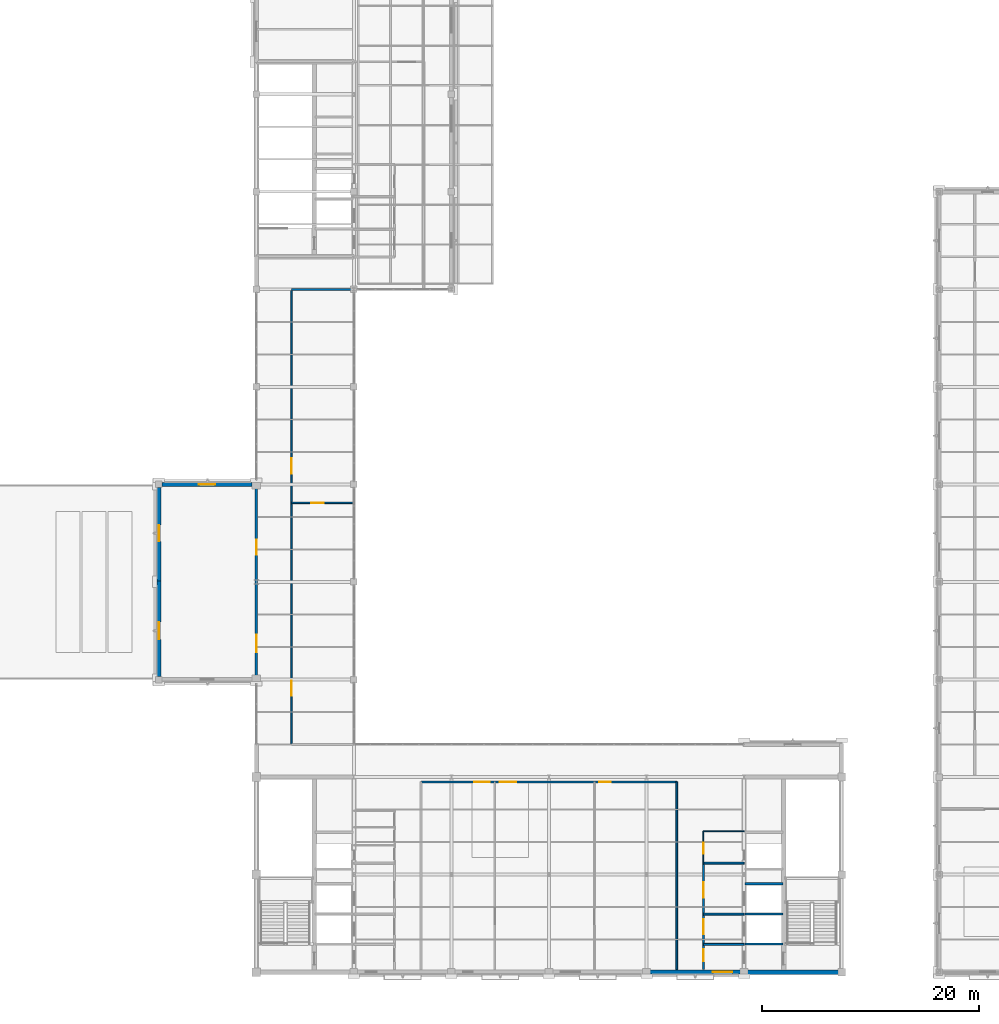
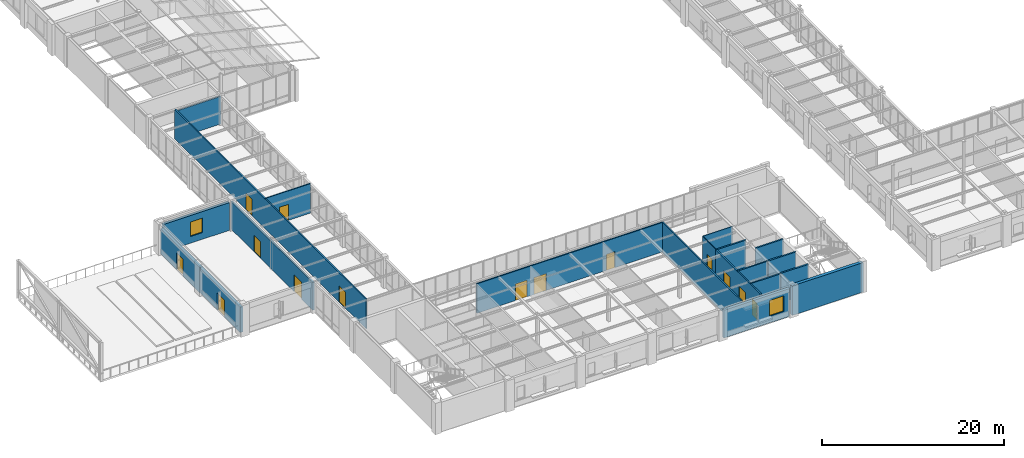
# One storey, part 81 of 97: 20 walls, 14 doors, 2 windows, 16 openings.
"""IFC4 building model written with IfcOpenShell, lengths in metres."""

from ifc_helpers import new_model, si_unit, direction, frame, frame_2d, origin, place, context, subcontext, project, spatial, rectangle, extrude, material, layer, layer_set, type_object, element, fill, save


model = new_model("IFC4")

# Units and contexts
model_context = context("Model", 3, precision=1e-05, world=origin(), true_north=direction((0.0, 1.0)))
body_context = subcontext(model_context, "Body", "Model", "MODEL_VIEW")
ifc_project = project(units=[si_unit("LENGTHUNIT", "METRE"), si_unit("AREAUNIT", "SQUARE_METRE"), si_unit("VOLUMEUNIT", "CUBIC_METRE"), si_unit("PLANEANGLEUNIT", "RADIAN"), si_unit("MASSUNIT", "GRAM", prefix="KILO")], contexts=[model_context])

# Site, building, storey
site_placement = place(None, origin())
site = spatial("IfcSite", under=ifc_project, at=site_placement, CompositionType="ELEMENT")
building_placement = place(site_placement, origin())
building = spatial("IfcBuilding", under=site, at=building_placement, Name="Lykobir Media Centre", CompositionType="ELEMENT")
storey_placement = place(building_placement, frame((0.0, 0.0, 23.39990234375)))
storey = spatial("IfcBuildingStorey", under=building, at=storey_placement, Name="L05", CompositionType="ELEMENT", Elevation=23.39990234375)

# Wall, opening, window
ifc_material_1 = material(Name="Architectural Ochre Brick", Category="masonry")
ifc_layer_1 = layer(ifc_material_1, 0.360107421875, Name="Architectural Ochre Brick")
ifc_layer_set_1 = layer_set([ifc_layer_1], Name="Architectural Ochre Brick")
wall_type_1 = type_object("IfcWallType", Name="EW-BRK-360", PredefinedType="STANDARD", material=ifc_layer_set_1)
wall_1_placement = place(storey_placement, frame((26.614990234375, 45.0, 0.0), z_axis=(0.0, 0.0, 1.0), x_axis=(-1.0, 0.0, 0.0)))
wall_1 = element("IfcWall", 1, at=wall_1_placement, inside=storey, type_object=wall_type_1, Name="Exterior wall WALL-L05-0337", PredefinedType="STANDARD", context=body_context, shape_type="SweptSolid", body=[
    extrude(rectangle(XDim=8.330078125, YDim=0.360107421875, at=frame_2d((4.1650390625, 0.0))), origin(), (0.0, 0.0, 1.0), 3.715087890625),
])
opening_1_placement = place(wall_1_placement, frame((3.4150390625, 0.0, 0.89990234375)))
opening_1 = element("IfcOpeningElement", 2, at=opening_1_placement, cuts=wall_1, Name="Opening WN-1500x1950", PredefinedType="OPENING", context=body_context, shape_type="SweptSolid", body=[
    extrude(rectangle(XDim=1.5, YDim=1.949951171875, at=frame_2d((0.75, 0.97509765625))), frame((0.0, 0.18994140625, 0.0), z_axis=(0.0, -1.0, 0.0), x_axis=(1.0, 0.0, 0.0)), (0.0, 0.0, 1.0), 0.380126953125),
])
ifc_material_2 = material(Name="Low-E Laminated Triple Glazing", Category="glass")
window_type_1 = type_object("IfcWindowType", Name="WN-1500x1950", PartitioningType="SINGLE_PANEL", PredefinedType="WINDOW", material=ifc_material_2)
window_1_placement = place(opening_1_placement, origin())
window_1 = element("IfcWindow", 3, at=window_1_placement, inside=storey, type_object=window_type_1, Name="Window WIN-L05-0147", OverallHeight=1.949951171875, OverallWidth=1.5, PartitioningType="SINGLE_PANEL", PredefinedType="WINDOW", context=body_context, shape_type="SweptSolid", body=[
    extrude(rectangle(XDim=1.5, YDim=1.949951171875, at=frame_2d((0.75, 0.97509765625))), frame((0.0, 0.030029296875, 0.0), z_axis=(0.0, -1.0, 0.0), x_axis=(1.0, 0.0, 0.0)), (0.0, 0.0, 1.0), 0.06005859375),
])
fill(opening_1, window_1)

# Wall, opening, door
wall_2_placement = place(storey_placement, frame((18.0, 36.074951171875, 0.0), z_axis=(0.0, 0.0, 1.0), x_axis=(0.0, -1.0, 0.0)))
wall_2 = element("IfcWall", 4, at=wall_2_placement, inside=storey, type_object=wall_type_1, Name="Exterior wall WALL-L05-0338", PredefinedType="STANDARD", context=body_context, shape_type="SweptSolid", body=[
    extrude(rectangle(XDim=8.7900390625, YDim=0.360107421875, at=frame_2d((4.39501953125, 0.0))), origin(), (0.0, 0.0, 1.0), 3.39501953125),
])
opening_2_placement = place(wall_2_placement, frame((3.77490234375, 0.0, 0.0)))
opening_2 = element("IfcOpeningElement", 5, at=opening_2_placement, cuts=wall_2, Name="Opening D-L05-TER1", PredefinedType="OPENING", context=body_context, shape_type="SweptSolid", body=[
    extrude(rectangle(XDim=1.60009765625, YDim=2.300048828125, at=frame_2d((0.800048828125, 1.14990234375))), frame((0.0, 0.18994140625, 0.0), z_axis=(0.0, -1.0, 0.0), x_axis=(1.0, 0.0, 0.0)), (0.0, 0.0, 1.0), 0.380126953125),
])
ifc_material_3 = material(Name="Anodized Aluminium AW-6060", Category="aluminium")
door_type_1 = type_object("IfcDoorType", Name="ED-1600x2300", OperationType="NOTDEFINED", PredefinedType="DOOR", material=ifc_material_3)
door_1_placement = place(opening_2_placement, frame((1.60009765625, 0.0, 0.0), z_axis=(0.0, 0.0, 1.0), x_axis=(-1.0, 0.0, 0.0)))
door_1 = element("IfcDoor", 6, at=door_1_placement, inside=storey, type_object=door_type_1, Name="Festival lounge to rooftop screen terrace door 1", OperationType="DOUBLE_DOOR_SINGLE_SWING", OverallHeight=2.300048828125, OverallWidth=1.60009765625, PredefinedType="DOOR", context=body_context, shape_type="SweptSolid", body=[
    extrude(rectangle(XDim=1.60009765625, YDim=2.300048828125, at=frame_2d((0.800048828125, 1.14990234375))), frame((0.0, 0.02490234375, 0.0), z_axis=(0.0, -1.0, 0.0), x_axis=(1.0, 0.0, 0.0)), (0.0, 0.0, 1.0), 0.050048828125),
])
fill(opening_2, door_1)

wall_3_placement = place(storey_placement, frame((18.0, 44.715087890625, 0.0), z_axis=(0.0, 0.0, 1.0), x_axis=(0.0, -1.0, 0.0)))
wall_3 = element("IfcWall", 7, at=wall_3_placement, inside=storey, type_object=wall_type_1, Name="Exterior wall WALL-L05-0339", PredefinedType="STANDARD", context=body_context, shape_type="SweptSolid", body=[
    extrude(rectangle(XDim=8.7900390625, YDim=0.360107421875, at=frame_2d((4.39501953125, 0.0))), origin(), (0.0, 0.0, 1.0), 3.39501953125),
])
opening_3_placement = place(wall_3_placement, frame((3.465087890625, 0.0, 0.0)))
opening_3 = element("IfcOpeningElement", 8, at=opening_3_placement, cuts=wall_3, Name="Opening D-L05-TER2", PredefinedType="OPENING", context=body_context, shape_type="SweptSolid", body=[
    extrude(rectangle(XDim=1.5, YDim=2.25, at=frame_2d((0.75, 1.125))), frame((0.0, 0.18994140625, 0.0), z_axis=(0.0, -1.0, 0.0), x_axis=(1.0, 0.0, 0.0)), (0.0, 0.0, 1.0), 0.380126953125),
])
door_type_2 = type_object("IfcDoorType", Name="ED-1500x2250", OperationType="NOTDEFINED", PredefinedType="DOOR", material=ifc_material_3)
door_2_placement = place(opening_3_placement, frame((1.5, 0.0, 0.0), z_axis=(0.0, 0.0, 1.0), x_axis=(-1.0, 0.0, 0.0)))
door_2 = element("IfcDoor", 9, at=door_2_placement, inside=storey, type_object=door_type_2, Name="Festival lounge to rooftop screen terrace door 2", OperationType="DOUBLE_DOOR_SINGLE_SWING", OverallHeight=2.25, OverallWidth=1.5, PredefinedType="DOOR", context=body_context, shape_type="SweptSolid", body=[
    extrude(rectangle(XDim=1.5, YDim=2.25, at=frame_2d((0.75, 1.125))), frame((0.0, 0.02490234375, 0.0), z_axis=(0.0, -1.0, 0.0), x_axis=(1.0, 0.0, 0.0)), (0.0, 0.0, 1.0), 0.050048828125),
])
fill(opening_3, door_2)

# Wall, opening, window
wall_4_placement = place(storey_placement, frame((63.3349609375, 0.0, 0.0), z_axis=(0.0, 0.0, 1.0), x_axis=(1.0, 0.0, 0.0)))
wall_4 = element("IfcWall", 10, at=wall_4_placement, inside=storey, type_object=wall_type_1, Name="Exterior wall WALL-L05-0345", PredefinedType="STANDARD", context=body_context, shape_type="SweptSolid", body=[
    extrude(rectangle(XDim=8.330078125, YDim=0.360107421875, at=frame_2d((4.1650390625, 0.0))), origin(), (0.0, 0.0, 1.0), 3.715087890625),
])
opening_4_placement = place(wall_4_placement, frame((5.780029296875, 0.0, 0.89990234375)))
opening_4 = element("IfcOpeningElement", 11, at=opening_4_placement, cuts=wall_4, Name="Opening WN-1800x2100", PredefinedType="OPENING", context=body_context, shape_type="SweptSolid", body=[
    extrude(rectangle(XDim=1.800048828125, YDim=2.10009765625, at=frame_2d((0.89990234375, 1.050048828125))), frame((0.0, 0.18994140625, 0.0), z_axis=(0.0, -1.0, 0.0), x_axis=(1.0, 0.0, 0.0)), (0.0, 0.0, 1.0), 0.380126953125),
])
window_type_2 = type_object("IfcWindowType", Name="WN-1800x2100", PartitioningType="SINGLE_PANEL", PredefinedType="WINDOW", material=ifc_material_2)
window_2_placement = place(opening_4_placement, origin())
window_2 = element("IfcWindow", 12, at=window_2_placement, inside=storey, type_object=window_type_2, Name="Window WIN-L05-0152", OverallHeight=2.10009765625, OverallWidth=1.800048828125, PartitioningType="SINGLE_PANEL", PredefinedType="WINDOW", context=body_context, shape_type="SweptSolid", body=[
    extrude(rectangle(XDim=1.800048828125, YDim=2.10009765625, at=frame_2d((0.89990234375, 1.050048828125))), frame((0.0, 0.030029296875, 0.0), z_axis=(0.0, -1.0, 0.0), x_axis=(1.0, 0.0, 0.0)), (0.0, 0.0, 1.0), 0.06005859375),
])
fill(opening_4, window_2)

# Wall, openings, doors
ifc_material_4 = material(Name="Acoustic Gypsum Board", Category="gypsum")
ifc_layer_2 = layer(ifc_material_4, 0.159912109375, Name="Acoustic Gypsum Board")
ifc_layer_set_2 = layer_set([ifc_layer_2], Name="Acoustic Gypsum Board")
wall_type_2 = type_object("IfcWallType", Name="IW-COR-160", PredefinedType="PARTITIONING", material=ifc_layer_set_2)
wall_5_placement = place(storey_placement, frame((42.199951171875, 17.550048828125, 0.0), z_axis=(0.0, 0.0, 1.0), x_axis=(1.0, 0.0, 0.0)))
wall_5 = element("IfcWall", 13, at=wall_5_placement, inside=storey, type_object=wall_type_2, Name="Wall IWALL-L05-0754", PredefinedType="PARTITIONING", context=body_context, shape_type="SweptSolid", body=[
    extrude(rectangle(XDim=23.60009765625, YDim=0.159912109375, at=frame_2d((11.800048828125, 0.0))), origin(), (0.0, 0.0, 1.0), 3.960205078125),
])
opening_5_placement = place(wall_5_placement, frame((4.89990234375, 0.0, 0.0)))
opening_5 = element("IfcOpeningElement", 14, at=opening_5_placement, cuts=wall_5, Name="Opening D-L05-V7R1", PredefinedType="OPENING", context=body_context, shape_type="SweptSolid", body=[
    extrude(rectangle(XDim=1.449951171875, YDim=2.219970703125, at=frame_2d((0.72509765625, 1.10986328125))), frame((0.0, 0.08984375, 0.0), z_axis=(0.0, -1.0, 0.0), x_axis=(1.0, 0.0, 0.0)), (0.0, 0.0, 1.0), 0.179931640625),
])
opening_6_placement = place(wall_5_placement, frame((7.25, 0.0, 0.0)))
opening_6 = element("IfcOpeningElement", 15, at=opening_6_placement, cuts=wall_5, Name="Opening D-L05-V7R2", PredefinedType="OPENING", context=body_context, shape_type="SweptSolid", body=[
    extrude(rectangle(XDim=1.550048828125, YDim=2.239990234375, at=frame_2d((0.77490234375, 1.1201171875))), frame((0.0, 0.08984375, 0.0), z_axis=(0.0, -1.0, 0.0), x_axis=(1.0, 0.0, 0.0)), (0.0, 0.0, 1.0), 0.179931640625),
])
opening_7_placement = place(wall_5_placement, frame((16.449951171875, 0.0, 0.0)))
opening_7 = element("IfcOpeningElement", 16, at=opening_7_placement, cuts=wall_5, Name="Opening D-L05-V7R3", PredefinedType="OPENING", context=body_context, shape_type="SweptSolid", body=[
    extrude(rectangle(XDim=1.050048828125, YDim=2.14990234375, at=frame_2d((0.52490234375, 1.074951171875))), frame((0.0, 0.08984375, 0.0), z_axis=(0.0, -1.0, 0.0), x_axis=(1.0, 0.0, 0.0)), (0.0, 0.0, 1.0), 0.179931640625),
])
ifc_material_5 = material(Name="Acoustic Timber Panelling", Category="wood")
door_type_3 = type_object("IfcDoorType", Name="FD-1050x2150", OperationType="NOTDEFINED", PredefinedType="DOOR", material=ifc_material_5)
door_3_placement = place(opening_7_placement, origin())
door_3 = element("IfcDoor", 17, at=door_3_placement, inside=storey, type_object=door_type_3, Name="Door D-L05-V7R3", OperationType="SINGLE_SWING_LEFT", OverallHeight=2.14990234375, OverallWidth=1.050048828125, PredefinedType="DOOR", context=body_context, shape_type="SweptSolid", body=[
    extrude(rectangle(XDim=1.050048828125, YDim=2.14990234375, at=frame_2d((0.52490234375, 1.074951171875))), frame((0.0, 0.02490234375, 0.0), z_axis=(0.0, -1.0, 0.0), x_axis=(1.0, 0.0, 0.0)), (0.0, 0.0, 1.0), 0.050048828125),
])
fill(opening_7, door_3)
door_type_4 = type_object("IfcDoorType", Name="FD-1450x2220", OperationType="NOTDEFINED", PredefinedType="DOOR", material=ifc_material_5)
door_4_placement = place(opening_5_placement, origin())
door_4 = element("IfcDoor", 18, at=door_4_placement, inside=storey, type_object=door_type_4, Name="Door D-L05-V7R1", OperationType="SINGLE_SWING_LEFT", OverallHeight=2.219970703125, OverallWidth=1.449951171875, PredefinedType="DOOR", context=body_context, shape_type="SweptSolid", body=[
    extrude(rectangle(XDim=1.449951171875, YDim=2.219970703125, at=frame_2d((0.72509765625, 1.10986328125))), frame((0.0, 0.02490234375, 0.0), z_axis=(0.0, -1.0, 0.0), x_axis=(1.0, 0.0, 0.0)), (0.0, 0.0, 1.0), 0.050048828125),
])
fill(opening_5, door_4)
door_type_5 = type_object("IfcDoorType", Name="FD-1550x2240", OperationType="NOTDEFINED", PredefinedType="DOOR", material=ifc_material_5)
door_5_placement = place(opening_6_placement, origin())
door_5 = element("IfcDoor", 19, at=door_5_placement, inside=storey, type_object=door_type_5, Name="Door D-L05-V7R2", OperationType="SINGLE_SWING_LEFT", OverallHeight=2.239990234375, OverallWidth=1.550048828125, PredefinedType="DOOR", context=body_context, shape_type="SweptSolid", body=[
    extrude(rectangle(XDim=1.550048828125, YDim=2.239990234375, at=frame_2d((0.77490234375, 1.1201171875))), frame((0.0, 0.02490234375, 0.0), z_axis=(0.0, -1.0, 0.0), x_axis=(1.0, 0.0, 0.0)), (0.0, 0.0, 1.0), 0.050048828125),
])
fill(opening_6, door_5)

# Wall
wall_6_placement = place(storey_placement, frame((65.800048828125, 0.219970703125, 0.0), z_axis=(0.0, 0.0, 1.0), x_axis=(0.0, 1.0, 0.0)))
element("IfcWall", 20, at=wall_6_placement, inside=storey, type_object=wall_type_2, Name="Wall IWALL-L05-0756", PredefinedType="PARTITIONING", context=body_context, shape_type="SweptSolid", body=[
    extrude(rectangle(XDim=17.330078125, YDim=0.159912109375, at=frame_2d((8.6650390625, 0.0))), origin(), (0.0, 0.0, 1.0), 3.960205078125),
])

# Wall, openings, doors
wall_7_placement = place(storey_placement, frame((30.25, 21.0, 0.0), z_axis=(0.0, 0.0, 1.0), x_axis=(0.0, 1.0, 0.0)))
wall_7 = element("IfcWall", 21, at=wall_7_placement, inside=storey, type_object=wall_type_2, Name="Wall IWALL-L05-0759", PredefinedType="PARTITIONING", context=body_context, shape_type="SweptSolid", body=[
    extrude(rectangle(XDim=42.0, YDim=0.159912109375, at=frame_2d((21.0, 0.0))), origin(), (0.0, 0.0, 1.0), 3.960205078125),
])
opening_8_placement = place(wall_7_placement, frame((4.5, 0.0, 0.0)))
opening_8 = element("IfcOpeningElement", 22, at=opening_8_placement, cuts=wall_7, Name="Opening D-L05-WG1", PredefinedType="OPENING", context=body_context, shape_type="SweptSolid", body=[
    extrude(rectangle(XDim=1.39990234375, YDim=2.199951171875, at=frame_2d((0.699951171875, 1.10009765625))), frame((0.0, 0.08984375, 0.0), z_axis=(0.0, -1.0, 0.0), x_axis=(1.0, 0.0, 0.0)), (0.0, 0.0, 1.0), 0.179931640625),
])
opening_9_placement = place(wall_7_placement, frame((25.0, 0.0, 0.0)))
opening_9 = element("IfcOpeningElement", 23, at=opening_9_placement, cuts=wall_7, Name="Opening D-L05-WG2", PredefinedType="OPENING", context=body_context, shape_type="SweptSolid", body=[
    extrude(rectangle(XDim=1.39990234375, YDim=2.199951171875, at=frame_2d((0.699951171875, 1.10009765625))), frame((0.0, 0.08984375, 0.0), z_axis=(0.0, -1.0, 0.0), x_axis=(1.0, 0.0, 0.0)), (0.0, 0.0, 1.0), 0.179931640625),
])
door_type_6 = type_object("IfcDoorType", Name="FD-1400x2200", OperationType="NOTDEFINED", PredefinedType="DOOR", material=ifc_material_5)
door_6_placement = place(opening_8_placement, origin())
door_6 = element("IfcDoor", 24, at=door_6_placement, inside=storey, type_object=door_type_6, Name="Door D-L05-WG1", OperationType="DOUBLE_DOOR_SINGLE_SWING", OverallHeight=2.199951171875, OverallWidth=1.39990234375, PredefinedType="DOOR", context=body_context, shape_type="SweptSolid", body=[
    extrude(rectangle(XDim=1.39990234375, YDim=2.199951171875, at=frame_2d((0.699951171875, 1.10009765625))), frame((0.0, 0.02490234375, 0.0), z_axis=(0.0, -1.0, 0.0), x_axis=(1.0, 0.0, 0.0)), (0.0, 0.0, 1.0), 0.050048828125),
])
fill(opening_8, door_6)
door_7_placement = place(opening_9_placement, origin())
door_7 = element("IfcDoor", 25, at=door_7_placement, inside=storey, type_object=door_type_6, Name="Door D-L05-WG2", OperationType="DOUBLE_DOOR_SINGLE_SWING", OverallHeight=2.199951171875, OverallWidth=1.39990234375, PredefinedType="DOOR", context=body_context, shape_type="SweptSolid", body=[
    extrude(rectangle(XDim=1.39990234375, YDim=2.199951171875, at=frame_2d((0.699951171875, 1.10009765625))), frame((0.0, 0.02490234375, 0.0), z_axis=(0.0, -1.0, 0.0), x_axis=(1.0, 0.0, 0.0)), (0.0, 0.0, 1.0), 0.050048828125),
])
fill(opening_9, door_7)

# Wall
wall_8_placement = place(storey_placement, frame((30.25, 63.0, 0.0), z_axis=(0.0, 0.0, 1.0), x_axis=(1.0, 0.0, 0.0)))
element("IfcWall", 26, at=wall_8_placement, inside=storey, type_object=wall_type_2, Name="Wall IWALL-L05-0761", PredefinedType="PARTITIONING", context=body_context, shape_type="SweptSolid", body=[
    extrude(rectangle(XDim=5.75, YDim=0.159912109375, at=frame_2d((2.875, 0.0))), origin(), (0.0, 0.0, 1.0), 3.715087890625),
])

# Wall, openings, doors
ifc_layer_3 = layer(ifc_material_4, 0.179931640625, Name="Acoustic Gypsum Board")
ifc_layer_set_3 = layer_set([ifc_layer_3], Name="Acoustic Gypsum Board")
wall_type_3 = type_object("IfcWallType", Name="IW-FFLOB-180", PredefinedType="PARTITIONING", material=ifc_layer_set_3)
wall_9_placement = place(storey_placement, frame((68.25, 0.219970703125, 0.0), z_axis=(0.0, 0.0, 1.0), x_axis=(0.0, 1.0, 0.0)))
wall_9 = element("IfcWall", 27, at=wall_9_placement, inside=storey, type_object=wall_type_3, Name="Wall IWALL-L05-0289", PredefinedType="PARTITIONING", context=body_context, shape_type="SweptSolid", body=[
    extrude(rectangle(XDim=9.830078125, YDim=0.179931640625, at=frame_2d((4.9150390625, 0.0))), origin(), (0.0, 0.0, 1.0), 3.960205078125),
])
opening_10_placement = place(wall_9_placement, frame((0.800048828125, 0.0, 0.0)))
opening_10 = element("IfcOpeningElement", 28, at=opening_10_placement, cuts=wall_9, Name="Opening D-L05-C2LV", PredefinedType="OPENING", context=body_context, shape_type="SweptSolid", body=[
    extrude(rectangle(XDim=1.10009765625, YDim=2.159912109375, at=frame_2d((0.550048828125, 1.080078125))), frame((0.0, 0.099853515625, 0.0), z_axis=(0.0, -1.0, 0.0), x_axis=(1.0, 0.0, 0.0)), (0.0, 0.0, 1.0), 0.199951171875),
])
opening_11_placement = place(wall_9_placement, frame((3.25, 0.0, 0.0)))
opening_11 = element("IfcOpeningElement", 29, at=opening_11_placement, cuts=wall_9, Name="Opening D-L05-C2PL", PredefinedType="OPENING", context=body_context, shape_type="SweptSolid", body=[
    extrude(rectangle(XDim=1.39990234375, YDim=2.199951171875, at=frame_2d((0.699951171875, 1.10009765625))), frame((0.0, 0.099853515625, 0.0), z_axis=(0.0, -1.0, 0.0), x_axis=(1.0, 0.0, 0.0)), (0.0, 0.0, 1.0), 0.199951171875),
])
opening_12_placement = place(wall_9_placement, frame((6.64990234375, 0.0, 0.0)))
opening_12 = element("IfcOpeningElement", 30, at=opening_12_placement, cuts=wall_9, Name="Opening D-L05-C2FF", PredefinedType="OPENING", context=body_context, shape_type="SweptSolid", body=[
    extrude(rectangle(XDim=1.39990234375, YDim=2.199951171875, at=frame_2d((0.699951171875, 1.10009765625))), frame((0.0, 0.099853515625, 0.0), z_axis=(0.0, -1.0, 0.0), x_axis=(1.0, 0.0, 0.0)), (0.0, 0.0, 1.0), 0.199951171875),
])
door_type_7 = type_object("IfcDoorType", Name="FD-1100x2160", OperationType="NOTDEFINED", PredefinedType="DOOR", material=ifc_material_5)
door_8_placement = place(opening_10_placement, origin())
door_8 = element("IfcDoor", 31, at=door_8_placement, inside=storey, type_object=door_type_7, Name="Door D-L05-C2LV", OperationType="SINGLE_SWING_LEFT", OverallHeight=2.159912109375, OverallWidth=1.10009765625, PredefinedType="DOOR", context=body_context, shape_type="SweptSolid", body=[
    extrude(rectangle(XDim=1.10009765625, YDim=2.159912109375, at=frame_2d((0.550048828125, 1.080078125))), frame((0.0, 0.02490234375, 0.0), z_axis=(0.0, -1.0, 0.0), x_axis=(1.0, 0.0, 0.0)), (0.0, 0.0, 1.0), 0.050048828125),
])
fill(opening_10, door_8)
door_9_placement = place(opening_11_placement, origin())
door_9 = element("IfcDoor", 32, at=door_9_placement, inside=storey, type_object=door_type_6, Name="Door D-L05-C2PL", OperationType="DOUBLE_DOOR_SINGLE_SWING", OverallHeight=2.199951171875, OverallWidth=1.39990234375, PredefinedType="DOOR", context=body_context, shape_type="SweptSolid", body=[
    extrude(rectangle(XDim=1.39990234375, YDim=2.199951171875, at=frame_2d((0.699951171875, 1.10009765625))), frame((0.0, 0.02490234375, 0.0), z_axis=(0.0, -1.0, 0.0), x_axis=(1.0, 0.0, 0.0)), (0.0, 0.0, 1.0), 0.050048828125),
])
fill(opening_11, door_9)
door_10_placement = place(opening_12_placement, origin())
door_10 = element("IfcDoor", 33, at=door_10_placement, inside=storey, type_object=door_type_6, Name="Door D-L05-C2FF", OperationType="DOUBLE_DOOR_SINGLE_SWING", OverallHeight=2.199951171875, OverallWidth=1.39990234375, PredefinedType="DOOR", context=body_context, shape_type="SweptSolid", body=[
    extrude(rectangle(XDim=1.39990234375, YDim=2.199951171875, at=frame_2d((0.699951171875, 1.10009765625))), frame((0.0, 0.02490234375, 0.0), z_axis=(0.0, -1.0, 0.0), x_axis=(1.0, 0.0, 0.0)), (0.0, 0.0, 1.0), 0.050048828125),
])
fill(opening_12, door_10)

# Walls
for number, where, z_axis, x_axis, name in (
    (34, (68.25, 2.550048828125, 0.0), (0.0, 0.0, 1.0), (1.0, 0.0, 0.0), "Wall IWALL-L05-0290"),
    (35, (68.25, 5.35009765625, 0.0), (0.0, 0.0, 1.0), (1.0, 0.0, 0.0), "Wall IWALL-L05-0291"),
    (36, (68.25, 10.050048828125, 0.0), (0.0, 0.0, 1.0), (1.0, 0.0, 0.0), "Wall IWALL-L05-0292"),
):
    element("IfcWall", number, at=place(storey_placement, frame(where, z_axis=z_axis, x_axis=x_axis)), inside=storey, type_object=wall_type_3, Name=name, PredefinedType="PARTITIONING", context=body_context, shape_type="SweptSolid", body=[
        extrude(rectangle(XDim=3.75, YDim=0.179931640625, at=frame_2d((1.875, 0.0))), origin(), (0.0, 0.0, 1.0), 3.960205078125),
    ])

# Wall, opening, door
ifc_layer_4 = layer(ifc_material_4, 0.125, Name="Acoustic Gypsum Board")
ifc_layer_set_4 = layer_set([ifc_layer_4], Name="Acoustic Gypsum Board")
wall_type_4 = type_object("IfcWallType", Name="IW-RM-125", PredefinedType="PARTITIONING", material=ifc_layer_set_4)
wall_10_placement = place(storey_placement, frame((30.25, 43.300048828125, 0.0), z_axis=(0.0, 0.0, 1.0), x_axis=(1.0, 0.0, 0.0)))
wall_10 = element("IfcWall", 37, at=wall_10_placement, inside=storey, type_object=wall_type_4, Name="Wall IWALL-L05-0762", PredefinedType="PARTITIONING", context=body_context, shape_type="SweptSolid", body=[
    extrude(rectangle(XDim=5.75, YDim=0.125, at=frame_2d((2.875, 0.0))), origin(), (0.0, 0.0, 1.0), 3.960205078125),
])
opening_13_placement = place(wall_10_placement, frame((1.800048828125, 0.0, 0.0)))
opening_13 = element("IfcOpeningElement", 38, at=opening_13_placement, cuts=wall_10, Name="Opening D-L05-PRJ5", PredefinedType="OPENING", context=body_context, shape_type="SweptSolid", body=[
    extrude(rectangle(XDim=1.14990234375, YDim=2.14990234375, at=frame_2d((0.574951171875, 1.074951171875))), frame((0.0, 0.072509765625, 0.0), z_axis=(0.0, -1.0, 0.0), x_axis=(1.0, 0.0, 0.0)), (0.0, 0.0, 1.0), 0.14501953125),
])
door_type_8 = type_object("IfcDoorType", Name="ID-1150x2150", OperationType="NOTDEFINED", PredefinedType="DOOR", material=ifc_material_5)
door_11_placement = place(opening_13_placement, origin())
door_11 = element("IfcDoor", 39, at=door_11_placement, inside=storey, type_object=door_type_8, Name="Door D-L05-PRJ5", OperationType="SINGLE_SWING_RIGHT", OverallHeight=2.14990234375, OverallWidth=1.14990234375, PredefinedType="DOOR", context=body_context, shape_type="SweptSolid", body=[
    extrude(rectangle(XDim=1.14990234375, YDim=2.14990234375, at=frame_2d((0.574951171875, 1.074951171875))), frame((0.0, 0.02490234375, 0.0), z_axis=(0.0, -1.0, 0.0), x_axis=(1.0, 0.0, 0.0)), (0.0, 0.0, 1.0), 0.050048828125),
])
fill(opening_13, door_11)

# Walls
ifc_material_6 = material(Name="Concrete C30/37", Category="concrete")
ifc_layer_5 = layer(ifc_material_6, 0.199951171875, Name="Concrete C30/37")
ifc_layer_set_5 = layer_set([ifc_layer_5], Name="Concrete C30/37")
wall_type_5 = type_object("IfcWallType", Name="IW-SHAFT-200", PredefinedType="PARTITIONING", material=ifc_layer_set_5)
for number, where, z_axis, x_axis, name in (
    (40, (72.10009765625, 2.60009765625, 0.0), (0.0, 0.0, 1.0), (1.0, 0.0, 0.0), "Wall IWALL-L05-0284"),
    (41, (72.10009765625, 5.35009765625, 0.0), (0.0, 0.0, 1.0), (1.0, 0.0, 0.0), "Wall IWALL-L05-0285"),
    (42, (72.10009765625, 8.14990234375, 0.0), (0.0, 0.0, 1.0), (1.0, 0.0, 0.0), "Wall IWALL-L05-0286"),
):
    element("IfcWall", number, at=place(storey_placement, frame(where, z_axis=z_axis, x_axis=x_axis)), inside=storey, type_object=wall_type_5, Name=name, PredefinedType="PARTITIONING", context=body_context, shape_type="SweptSolid", body=[
        extrude(rectangle(XDim=3.5, YDim=0.199951171875, at=frame_2d((1.75, 0.0))), origin(), (0.0, 0.0, 1.0), 3.960205078125),
    ])

# Wall, openings, doors
ifc_layer_6 = layer(ifc_material_4, 0.219970703125, Name="Acoustic Gypsum Board")
ifc_layer_set_6 = layer_set([ifc_layer_6], Name="Acoustic Gypsum Board")
wall_type_6 = type_object("IfcWallType", Name="IW-STU-220", PredefinedType="PARTITIONING", material=ifc_layer_set_6)
wall_11_placement = place(storey_placement, frame((27.0, 27.0, 0.0), z_axis=(0.0, 0.0, 1.0), x_axis=(0.0, 1.0, 0.0)))
wall_11 = element("IfcWall", 43, at=wall_11_placement, inside=storey, type_object=wall_type_6, Name="Wall IWALL-L05-0763", PredefinedType="PARTITIONING", context=body_context, shape_type="SweptSolid", body=[
    extrude(rectangle(XDim=18.0, YDim=0.219970703125, at=frame_2d((9.0, 0.0))), origin(), (0.0, 0.0, 1.0), 3.715087890625),
])
opening_14_placement = place(wall_11_placement, frame((2.5, 0.0, 0.0)))
opening_14 = element("IfcOpeningElement", 44, at=opening_14_placement, cuts=wall_11, Name="Opening D-L05-FES1", PredefinedType="OPENING", context=body_context, shape_type="SweptSolid", body=[
    extrude(rectangle(XDim=1.64990234375, YDim=2.25, at=frame_2d((0.824951171875, 1.125))), frame((0.0, 0.119873046875, 0.0), z_axis=(0.0, -1.0, 0.0), x_axis=(1.0, 0.0, 0.0)), (0.0, 0.0, 1.0), 0.239990234375),
])
opening_15_placement = place(wall_11_placement, frame((11.5, 0.0, 0.0)))
opening_15 = element("IfcOpeningElement", 45, at=opening_15_placement, cuts=wall_11, Name="Opening D-L05-V3B1", PredefinedType="OPENING", context=body_context, shape_type="SweptSolid", body=[
    extrude(rectangle(XDim=1.39990234375, YDim=2.199951171875, at=frame_2d((0.699951171875, 1.10009765625))), frame((0.0, 0.119873046875, 0.0), z_axis=(0.0, -1.0, 0.0), x_axis=(1.0, 0.0, 0.0)), (0.0, 0.0, 1.0), 0.239990234375),
])
door_12_placement = place(opening_15_placement, origin())
door_12 = element("IfcDoor", 46, at=door_12_placement, inside=storey, type_object=door_type_6, Name="Door D-L05-V3B1", OperationType="DOUBLE_DOOR_SINGLE_SWING", OverallHeight=2.199951171875, OverallWidth=1.39990234375, PredefinedType="DOOR", context=body_context, shape_type="SweptSolid", body=[
    extrude(rectangle(XDim=1.39990234375, YDim=2.199951171875, at=frame_2d((0.699951171875, 1.10009765625))), frame((0.0, 0.02490234375, 0.0), z_axis=(0.0, -1.0, 0.0), x_axis=(1.0, 0.0, 0.0)), (0.0, 0.0, 1.0), 0.050048828125),
])
fill(opening_15, door_12)
door_type_9 = type_object("IfcDoorType", Name="FD-1650x2250", OperationType="NOTDEFINED", PredefinedType="DOOR", material=ifc_material_5)
door_13_placement = place(opening_14_placement, origin())
door_13 = element("IfcDoor", 47, at=door_13_placement, inside=storey, type_object=door_type_9, Name="Door D-L05-FES1", OperationType="DOUBLE_DOOR_SINGLE_SWING", OverallHeight=2.25, OverallWidth=1.64990234375, PredefinedType="DOOR", context=body_context, shape_type="SweptSolid", body=[
    extrude(rectangle(XDim=1.64990234375, YDim=2.25, at=frame_2d((0.824951171875, 1.125))), frame((0.0, 0.02490234375, 0.0), z_axis=(0.0, -1.0, 0.0), x_axis=(1.0, 0.0, 0.0)), (0.0, 0.0, 1.0), 0.050048828125),
])
fill(opening_14, door_13)

# Wall, opening, door
ifc_layer_7 = layer(ifc_material_4, 0.094970703125, Name="Acoustic Gypsum Board")
ifc_layer_set_7 = layer_set([ifc_layer_7], Name="Acoustic Gypsum Board")
wall_type_7 = type_object("IfcWallType", Name="IW-WC-095", PredefinedType="PARTITIONING", material=ifc_layer_set_7)
wall_12_placement = place(storey_placement, frame((68.25, 10.050048828125, 0.0), z_axis=(0.0, 0.0, 1.0), x_axis=(0.0, 1.0, 0.0)))
wall_12 = element("IfcWall", 48, at=wall_12_placement, inside=storey, type_object=wall_type_7, Name="Wall IWALL-L05-0293", PredefinedType="PARTITIONING", context=body_context, shape_type="SweptSolid", body=[
    extrude(rectangle(XDim=2.949951171875, YDim=0.094970703125, at=frame_2d((1.47509765625, 0.0))), origin(), (0.0, 0.0, 1.0), 3.960205078125),
])
opening_16_placement = place(wall_12_placement, frame((0.85009765625, 0.0, 0.0)))
opening_16 = element("IfcOpeningElement", 49, at=opening_16_placement, cuts=wall_12, Name="Opening D-L05-WCA2", PredefinedType="OPENING", context=body_context, shape_type="SweptSolid", body=[
    extrude(rectangle(XDim=1.050048828125, YDim=2.1298828125, at=frame_2d((0.52490234375, 1.06494140625))), frame((0.0, 0.057373046875, 0.0), z_axis=(0.0, -1.0, 0.0), x_axis=(1.0, 0.0, 0.0)), (0.0, 0.0, 1.0), 0.114990234375),
])
door_type_10 = type_object("IfcDoorType", Name="ID-1050x2130", OperationType="NOTDEFINED", PredefinedType="DOOR", material=ifc_material_5)
door_14_placement = place(opening_16_placement, origin())
door_14 = element("IfcDoor", 50, at=door_14_placement, inside=storey, type_object=door_type_10, Name="Door D-L05-WCA2", OperationType="SINGLE_SWING_RIGHT", OverallHeight=2.1298828125, OverallWidth=1.050048828125, PredefinedType="DOOR", context=body_context, shape_type="SweptSolid", body=[
    extrude(rectangle(XDim=1.050048828125, YDim=2.1298828125, at=frame_2d((0.52490234375, 1.06494140625))), frame((0.0, 0.02490234375, 0.0), z_axis=(0.0, -1.0, 0.0), x_axis=(1.0, 0.0, 0.0)), (0.0, 0.0, 1.0), 0.050048828125),
])
fill(opening_16, door_14)

# Walls
wall_13_placement = place(storey_placement, frame((68.25, 13.0, 0.0), z_axis=(0.0, 0.0, 1.0), x_axis=(1.0, 0.0, 0.0)))
element("IfcWall", 51, at=wall_13_placement, inside=storey, type_object=wall_type_7, Name="Wall IWALL-L05-0294", PredefinedType="PARTITIONING", context=body_context, shape_type="SweptSolid", body=[
    extrude(rectangle(XDim=3.75, YDim=0.094970703125, at=frame_2d((1.875, 0.0))), origin(), (0.0, 0.0, 1.0), 3.960205078125),
])
ifc_material_7 = material(Name="Concrete C40/50", Category="concrete")
ifc_layer_8 = layer(ifc_material_7, 0.39990234375, Name="Concrete C40/50")
ifc_layer_set_8 = layer_set([ifc_layer_8], Name="Concrete C40/50")
wall_type_8 = type_object("IfcWallType", Name="SW-CORE-400-E", PredefinedType="SHEAR", material=ifc_layer_set_8)
wall_14_placement = place(storey_placement, frame((72.0, 0.0, 0.0), z_axis=(0.0, 0.0, 1.0), x_axis=(1.0, 0.0, 0.0)))
element("IfcWall", 52, at=wall_14_placement, inside=storey, type_object=wall_type_8, Name="Wall IWALL-L05-0279", PredefinedType="SHEAR", context=body_context, shape_type="SweptSolid", body=[
    extrude(rectangle(XDim=9.0, YDim=0.39990234375, at=frame_2d((4.5, 0.0))), origin(), (0.0, 0.0, 1.0), 3.960205078125),
])

save(model, "model.ifc")
